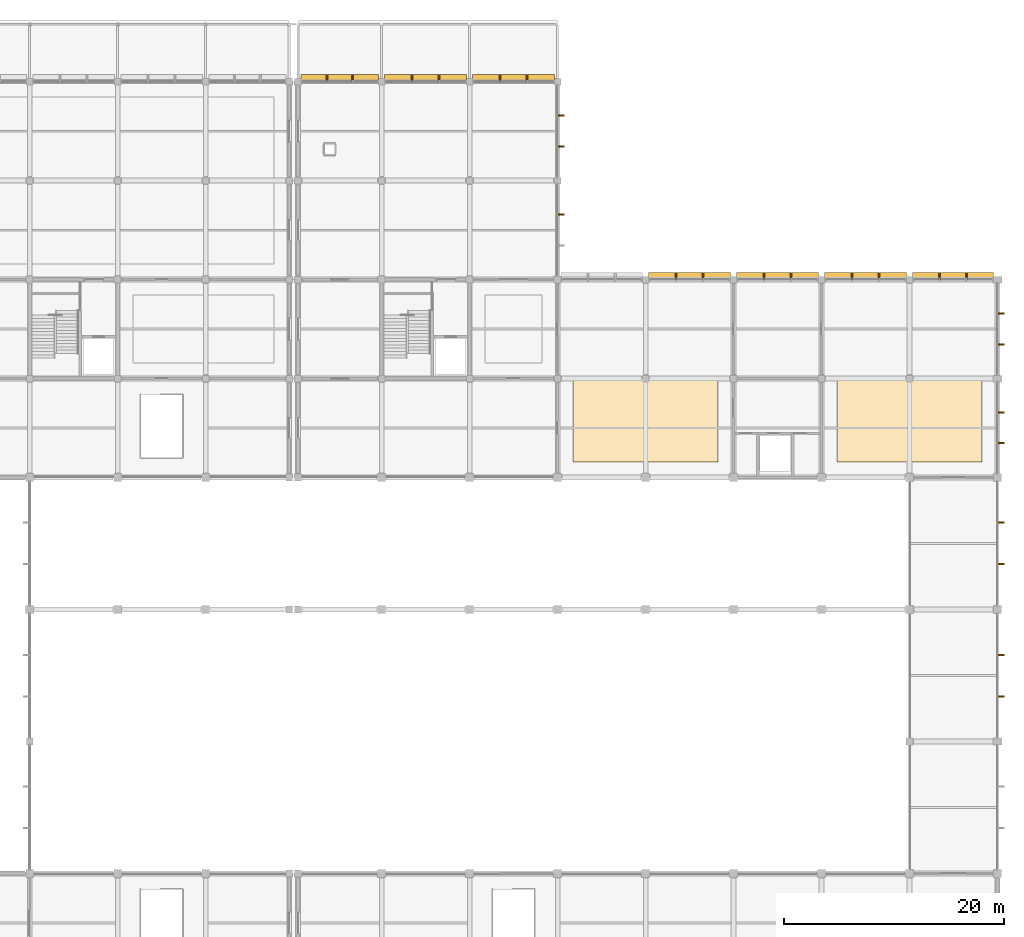
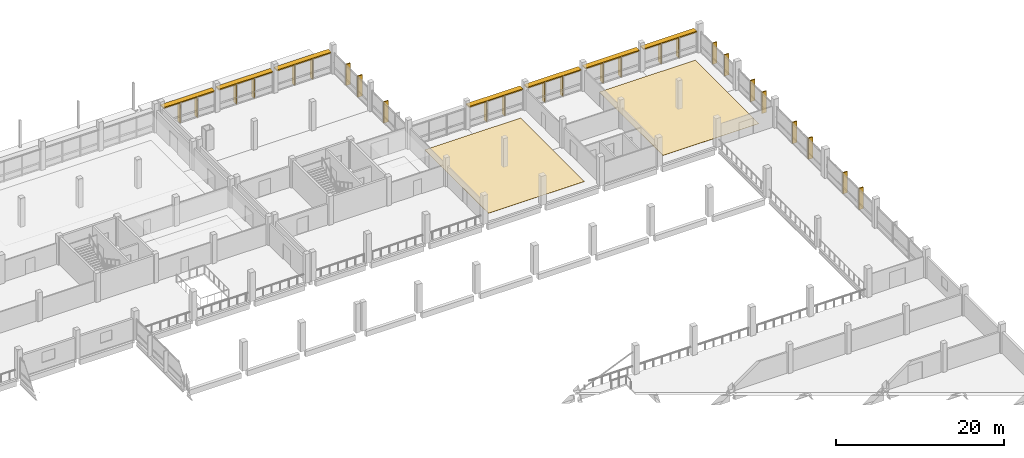
# One storey, part 57 of 57: 32 shading devices, 2 coverings.
"""IFC4 building model written with IfcOpenShell, lengths in metres."""

from ifc_helpers import new_model, si_unit, direction, frame, origin, origin_2d, place, context, subcontext, project, spatial, polyline, rectangle, outline, extrude, material, layer, layer_set, type_object, element, save


model = new_model("IFC4")

# Units and contexts
model_context = context("Model", 3, precision=1e-05, world=origin(), true_north=direction((0.0, 1.0)))
body_context = subcontext(model_context, "Body", "Model", "MODEL_VIEW")
ifc_project = project(units=[si_unit("LENGTHUNIT", "METRE"), si_unit("AREAUNIT", "SQUARE_METRE"), si_unit("VOLUMEUNIT", "CUBIC_METRE"), si_unit("PLANEANGLEUNIT", "RADIAN"), si_unit("MASSUNIT", "GRAM", prefix="KILO"), si_unit("THERMODYNAMICTEMPERATUREUNIT", "KELVIN"), si_unit("POWERUNIT", "WATT")], contexts=[model_context])

# Site, building, storey
site_placement = place(None, origin())
site = spatial("IfcSite", under=ifc_project, at=site_placement, CompositionType="ELEMENT")
building_placement = place(site_placement, origin())
building = spatial("IfcBuilding", under=site, at=building_placement, Name="Kronsvod Quay Wholesale Market", CompositionType="ELEMENT")
storey_placement = place(building_placement, frame((0.0, 0.0, 4.800048828125)))
storey = spatial("IfcBuildingStorey", under=building, at=storey_placement, Name="L01", CompositionType="ELEMENT", Elevation=4.800048828125)

# Coverings
ifc_material_1 = material(Name="Heavy-duty polyurethane resin market screed")
ifc_layer_1 = layer(ifc_material_1, 0.02001953125)
ifc_layer_set_1 = layer_set([ifc_layer_1], Name="Heavy-duty polyurethane resin market screed")
covering_type_1 = type_object("IfcCoveringType", Name="Cov_Floor01", PredefinedType="FLOORING", material=ifc_layer_set_1)
covering_1_placement = place(storey_placement, origin())
element("IfcCovering", 1, at=covering_1_placement, inside=storey, type_object=covering_type_1, Name="FLR-SP-L01-V2-04", PredefinedType="FLOORING", context=body_context, shape_type="SweptSolid", body=[
    extrude(outline(polyline([(153.39990234375, 91.39990234375), (166.60009765625, 91.39990234375), (166.60009765625, 106.60009765625), (153.39990234375, 106.60009765625), (153.39990234375, 91.39990234375)])), origin(), (0.0, 0.0, 1.0), 0.02001953125),
])
ifc_material_2 = material(Name="Non-slip vitrified seafood hall tile")
ifc_layer_2 = layer(ifc_material_2, 0.02490234375)
ifc_layer_set_2 = layer_set([ifc_layer_2], Name="Non-slip vitrified seafood hall tile")
covering_type_2 = type_object("IfcCoveringType", Name="Cov_Floor02", PredefinedType="FLOORING", material=ifc_layer_set_2)
covering_2_placement = place(storey_placement, origin())
element("IfcCovering", 2, at=covering_2_placement, inside=storey, type_object=covering_type_2, Name="FLR-SP-L01-V2-05", PredefinedType="FLOORING", context=body_context, shape_type="SweptSolid", body=[
    extrude(outline(polyline([(177.39990234375, 91.39990234375), (190.60009765625, 91.39990234375), (190.60009765625, 106.60009765625), (177.39990234375, 106.60009765625), (177.39990234375, 91.39990234375)])), origin(), (0.0, 0.0, 1.0), 0.02490234375),
])

# Shading devices
ifc_material_3 = material(Name="Anodised aluminium", Category="aluminium")
shading_device_type_1 = type_object("IfcShadingDeviceType", Name="Shade_SolarFin", PredefinedType="AWNING", material=ifc_material_3)
for number, where, z_axis, x_axis, name in (
    (3, (162.764892578125, 108.280029296875, -0.02001953125), (0.0, 0.0, 1.0), (1.0, 0.0, 0.0), "SHDF-CWGX-L01-1600-1080-1628"),
    (4, (165.235107421875, 108.280029296875, -0.02001953125), (0.0, 0.0, 1.0), (1.0, 0.0, 0.0), "SHDF-CWGX-L01-1600-1080-1652"),
    (5, (170.764892578125, 108.280029296875, -0.02001953125), (0.0, 0.0, 1.0), (1.0, 0.0, 0.0), "SHDF-CWGX-L01-1680-1080-1708"),
    (6, (173.235107421875, 108.280029296875, -0.02001953125), (0.0, 0.0, 1.0), (1.0, 0.0, 0.0), "SHDF-CWGX-L01-1680-1080-1732"),
    (7, (178.764892578125, 108.280029296875, -0.02001953125), (0.0, 0.0, 1.0), (1.0, 0.0, 0.0), "SHDF-CWGX-L01-1760-1080-1788"),
    (8, (181.235107421875, 108.280029296875, -0.02001953125), (0.0, 0.0, 1.0), (1.0, 0.0, 0.0), "SHDF-CWGX-L01-1760-1080-1812"),
    (9, (186.731689453125, 108.280029296875, -0.02001953125), (0.0, 0.0, 1.0), (1.0, 0.0, 0.0), "SHDF-CWGX-L01-1840-1080-1867"),
    (10, (189.168212890625, 108.280029296875, -0.02001953125), (0.0, 0.0, 1.0), (1.0, 0.0, 0.0), "SHDF-CWGX-L01-1840-1080-1892"),
    (11, (131.03173828125, 126.280029296875, -0.02001953125), (0.0, 0.0, 1.0), (1.0, 0.0, 0.0), "SHDF-CWGX-L01-1284-1260-1310"),
    (12, (133.368408203125, 126.280029296875, -0.02001953125), (0.0, 0.0, 1.0), (1.0, 0.0, 0.0), "SHDF-CWGX-L01-1284-1260-1334"),
    (13, (138.764892578125, 126.280029296875, -0.02001953125), (0.0, 0.0, 1.0), (1.0, 0.0, 0.0), "SHDF-CWGX-L01-1360-1260-1388"),
    (14, (141.235107421875, 126.280029296875, -0.02001953125), (0.0, 0.0, 1.0), (1.0, 0.0, 0.0), "SHDF-CWGX-L01-1360-1260-1412"),
    (15, (146.764892578125, 126.280029296875, -0.02001953125), (0.0, 0.0, 1.0), (1.0, 0.0, 0.0), "SHDF-CWGX-L01-1440-1260-1468"),
    (16, (149.235107421875, 126.280029296875, -0.02001953125), (0.0, 0.0, 1.0), (1.0, 0.0, 0.0), "SHDF-CWGX-L01-1440-1260-1492"),
):
    element("IfcShadingDevice", number, at=place(storey_placement, frame(where, z_axis=z_axis, x_axis=x_axis)), inside=storey, type_object=shading_device_type_1, Name=name, PredefinedType="AWNING", context=body_context, shape_type="SweptSolid", body=[
        extrude(rectangle(XDim=0.139892578125, YDim=0.6201171875, at=origin_2d()), origin(), (0.0, 0.0, 1.0), 3.090087890625),
    ])
for number, where, z_axis, x_axis, name in (
    (17, (152.280029296875, 113.909912109375, -0.02001953125), (0.0, 0.0, 1.0), (1.0, 0.0, 0.0), "SHDF-CWGY-L01-1520-1080-1139"),
    (18, (152.280029296875, 120.098388671875, -0.02001953125), (0.0, 0.0, 1.0), (1.0, 0.0, 0.0), "SHDF-CWGY-L01-1520-1170-1201"),
    (19, (152.280029296875, 122.901611328125, -0.02001953125), (0.0, 0.0, 1.0), (1.0, 0.0, 0.0), "SHDF-CWGY-L01-1520-1170-1229"),
    (20, (192.280029296875, 70.0732421875, -0.02001953125), (0.0, 0.0, 1.0), (1.0, 0.0, 0.0), "SHDF-CWGY-L01-1920-660-701"),
    (21, (192.280029296875, 73.851806640625, -0.02001953125), (0.0, 0.0, 1.0), (1.0, 0.0, 0.0), "SHDF-CWGY-L01-1920-660-739"),
    (22, (192.280029296875, 82.131591796875, -0.02001953125), (0.0, 0.0, 1.0), (1.0, 0.0, 0.0), "SHDF-CWGY-L01-1920-780-821"),
    (23, (192.280029296875, 85.893310546875, -0.02001953125), (0.0, 0.0, 1.0), (1.0, 0.0, 0.0), "SHDF-CWGY-L01-1920-780-859"),
    (24, (192.280029296875, 93.131591796875, -0.02001953125), (0.0, 0.0, 1.0), (1.0, 0.0, 0.0), "SHDF-CWGY-L01-1920-900-931"),
    (25, (192.280029296875, 95.918212890625, -0.02001953125), (0.0, 0.0, 1.0), (1.0, 0.0, 0.0), "SHDF-CWGY-L01-1920-900-959"),
    (26, (192.280029296875, 102.098388671875, -0.02001953125), (0.0, 0.0, 1.0), (1.0, 0.0, 0.0), "SHDF-CWGY-L01-1920-990-1021"),
    (27, (192.280029296875, 104.901611328125, -0.02001953125), (0.0, 0.0, 1.0), (1.0, 0.0, 0.0), "SHDF-CWGY-L01-1920-990-1049"),
):
    element("IfcShadingDevice", number, at=place(storey_placement, frame(where, z_axis=z_axis, x_axis=x_axis)), inside=storey, type_object=shading_device_type_1, Name=name, PredefinedType="AWNING", context=body_context, shape_type="SweptSolid", body=[
        extrude(rectangle(XDim=0.6201171875, YDim=0.139892578125, at=origin_2d()), origin(), (0.0, 0.0, 1.0), 3.090087890625),
    ])
ifc_material_4 = material(Name="Anodised aluminium sunshade hood", Category="aluminium")
shading_device_type_2 = type_object("IfcShadingDeviceType", Name="Shade_SunHood", PredefinedType="AWNING", material=ifc_material_4)
for number, where, z_axis, x_axis, name in (
    (28, (164.0, 108.280029296875, 2.93017578125), (0.0, 0.0, 1.0), (1.0, 0.0, 0.0), "SHDH-CWGX-L01-1600-1080"),
    (29, (172.0, 108.280029296875, 2.93017578125), (0.0, 0.0, 1.0), (1.0, 0.0, 0.0), "SHDH-CWGX-L01-1680-1080"),
    (30, (180.0, 108.280029296875, 2.93017578125), (0.0, 0.0, 1.0), (1.0, 0.0, 0.0), "SHDH-CWGX-L01-1760-1080"),
):
    element("IfcShadingDevice", number, at=place(storey_placement, frame(where, z_axis=z_axis, x_axis=x_axis)), inside=storey, type_object=shading_device_type_2, Name=name, PredefinedType="AWNING", context=body_context, shape_type="SweptSolid", body=[
        extrude(rectangle(XDim=7.429931640625, YDim=0.719970703125, at=origin_2d()), origin(), (0.0, 0.0, 1.0), 0.159912109375),
    ])
shading_device_1_placement = place(storey_placement, frame((187.949951171875, 108.280029296875, 2.93017578125), z_axis=(0.0, 0.0, 1.0), x_axis=(1.0, 0.0, 0.0)))
element("IfcShadingDevice", 31, at=shading_device_1_placement, inside=storey, type_object=shading_device_type_2, Name="SHDH-CWGX-L01-1840-1080", PredefinedType="AWNING", context=body_context, shape_type="SweptSolid", body=[
    extrude(rectangle(XDim=7.330078125, YDim=0.719970703125, at=origin_2d()), origin(), (0.0, 0.0, 1.0), 0.159912109375),
])
shading_device_2_placement = place(storey_placement, frame((132.199951171875, 126.280029296875, 2.93017578125), z_axis=(0.0, 0.0, 1.0), x_axis=(1.0, 0.0, 0.0)))
element("IfcShadingDevice", 32, at=shading_device_2_placement, inside=storey, type_object=shading_device_type_2, Name="SHDH-CWGX-L01-1284-1260", PredefinedType="AWNING", context=body_context, shape_type="SweptSolid", body=[
    extrude(rectangle(XDim=7.030029296875, YDim=0.719970703125, at=origin_2d()), origin(), (0.0, 0.0, 1.0), 0.159912109375),
])
for number, where, z_axis, x_axis, name in (
    (33, (140.0, 126.280029296875, 2.93017578125), (0.0, 0.0, 1.0), (1.0, 0.0, 0.0), "SHDH-CWGX-L01-1360-1260"),
    (34, (148.0, 126.280029296875, 2.93017578125), (0.0, 0.0, 1.0), (1.0, 0.0, 0.0), "SHDH-CWGX-L01-1440-1260"),
):
    element("IfcShadingDevice", number, at=place(storey_placement, frame(where, z_axis=z_axis, x_axis=x_axis)), inside=storey, type_object=shading_device_type_2, Name=name, PredefinedType="AWNING", context=body_context, shape_type="SweptSolid", body=[
        extrude(rectangle(XDim=7.429931640625, YDim=0.719970703125, at=origin_2d()), origin(), (0.0, 0.0, 1.0), 0.159912109375),
    ])

save(model, "model.ifc")
